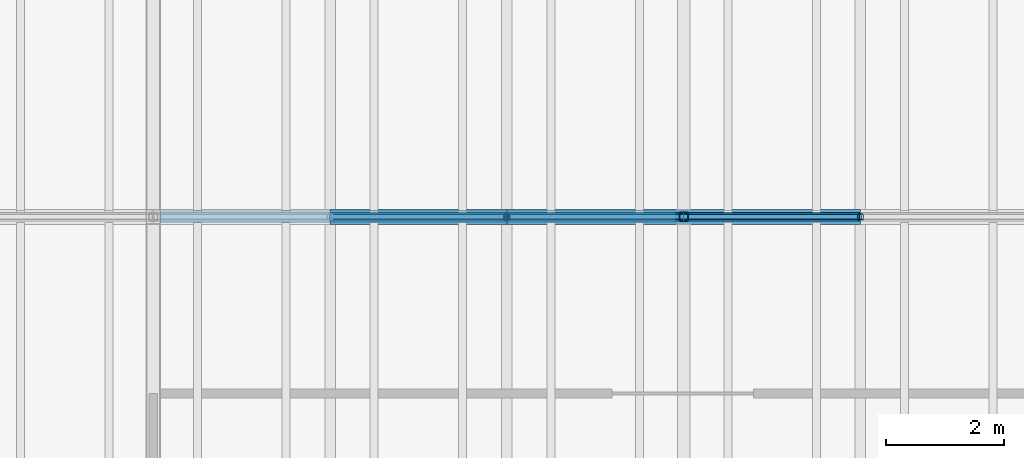
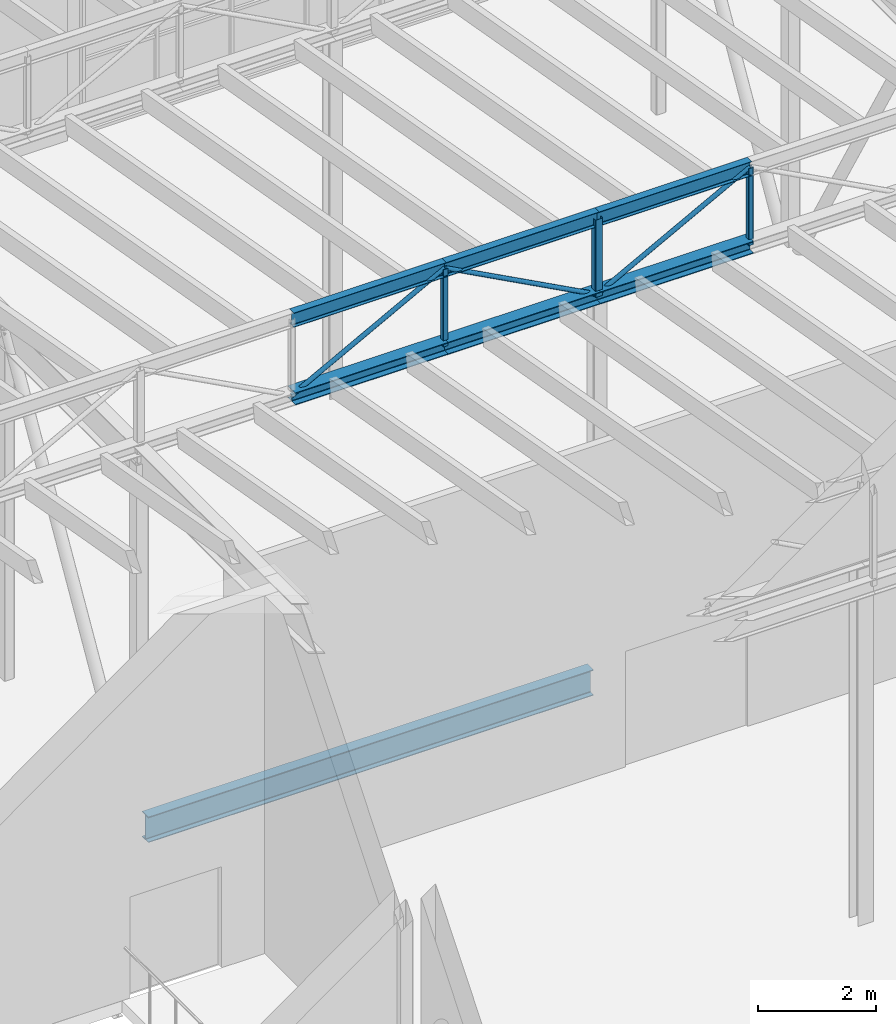
# One storey, part 29 of 90: 12 members, 1 beam.
"""IFC4 building model written with IfcOpenShell, lengths in metres."""

from ifc_helpers import new_model, si_unit, direction, frame, origin, origin_2d, place, context, subcontext, project, spatial, hollow_rectangle, hollow_circle, i_section, extrude, material, material_profile, profile_set, type_object, element, save


model = new_model("IFC4")

# Units and contexts
model_context = context("Model", 3, precision=1e-05, world=origin(), true_north=direction((0.0, 1.0)))
body_context = subcontext(model_context, "Body", "Model", "MODEL_VIEW")
ifc_project = project(units=[si_unit("LENGTHUNIT", "METRE"), si_unit("AREAUNIT", "SQUARE_METRE"), si_unit("VOLUMEUNIT", "CUBIC_METRE"), si_unit("PLANEANGLEUNIT", "RADIAN"), si_unit("MASSUNIT", "GRAM", prefix="KILO")], contexts=[model_context])

# Site, building, storey
site_placement = place(None, origin())
site = spatial("IfcSite", under=ifc_project, at=site_placement, CompositionType="ELEMENT")
building_placement = place(site_placement, origin())
building = spatial("IfcBuilding", under=site, at=building_placement, Name="Halyard Row Museum", CompositionType="ELEMENT")
storey_placement = place(building_placement, frame((0.0, 0.0, 13.39990234375)))
storey = spatial("IfcBuildingStorey", under=building, at=storey_placement, Name="L03", CompositionType="ELEMENT", Elevation=13.39990234375)

# Beam
ifc_material_1 = material(Name="Steel Grade 300", Category="steel")
ifc_material_profile_1 = material_profile(ifc_material_1, i_section(OverallWidth=0.208984375, OverallDepth=0.532958984375, WebThickness=0.01025390625, FlangeThickness=0.015625, FilletRadius=0.013916015625, at=origin_2d()), Name="530UB92.4")
ifc_profile_set_1 = profile_set([ifc_material_profile_1], Name="Steel Grade 300")
beam_type = type_object("IfcBeamType", Name="Girder beam 530UB92.4", PredefinedType="BEAM", material=ifc_profile_set_1)
beam_placement = place(storey_placement, frame((36.125, 27.0, -0.431396484375), z_axis=(1.0, 0.0, 0.0), x_axis=(0.0, 1.0, 0.0)))
element("IfcBeam", 1, at=beam_placement, inside=storey, type_object=beam_type, Name="Beam L03-019", PredefinedType="BEAM", context=body_context, shape_type="SweptSolid", body=[
    extrude(i_section(OverallWidth=0.208984375, OverallDepth=0.532958984375, WebThickness=0.01025390625, FlangeThickness=0.015625, FilletRadius=0.013916015625, at=origin_2d()), origin(), (0.0, 0.0, 1.0), 8.748046875),
])

# Members
ifc_material_2 = material(Name="Steel Grade 300", Category="steel")
ifc_material_profile_2 = material_profile(ifc_material_2, i_section(OverallWidth=0.25390625, OverallDepth=0.25390625, WebThickness=0.008544921875, FlangeThickness=0.01416015625, FilletRadius=0.013916015625, at=origin_2d()), Name="250UC72.9")
ifc_profile_set_2 = profile_set([ifc_material_profile_2], Name="Steel Grade 300")
member_type_1 = type_object("IfcMemberType", Name="Valley truss bottom chord 250UC72.9", PredefinedType="CHORD", material=ifc_profile_set_2)
for number, where, z_axis, x_axis, name in (
    (2, (39.0, 27.0, 7.527099609375), (1.0, 0.0, 0.0), (0.0, 1.0, 0.0), "V1-VT2 bottom chord 2.2"),
    (3, (42.0, 27.0, 7.527099609375), (1.0, 0.0, 0.0), (0.0, 1.0, 0.0), "V1-VT2 bottom chord 2.3"),
    (4, (45.0, 27.0, 7.527099609375), (1.0, 0.0, 0.0), (0.0, 1.0, 0.0), "V1-VT2 bottom chord 3.1"),
):
    element("IfcMember", number, at=place(storey_placement, frame(where, z_axis=z_axis, x_axis=x_axis)), inside=storey, type_object=member_type_1, Name=name, PredefinedType="CHORD", context=body_context, shape_type="SweptSolid", body=[
        extrude(i_section(OverallWidth=0.25390625, OverallDepth=0.25390625, WebThickness=0.008544921875, FlangeThickness=0.01416015625, FilletRadius=0.013916015625, at=origin_2d()), origin(), (0.0, 0.0, 1.0), 3.0),
    ])
ifc_material_3 = material(Name="Steel Grade C250L0", Category="steel")
ifc_material_profile_3 = material_profile(ifc_material_3, hollow_circle(Radius=0.04443359375, WallThickness=0.0048828125, at=origin_2d()), Name="88.9x5.0CHS")
ifc_profile_set_3 = profile_set([ifc_material_profile_3], Name="Steel Grade C250L0")
member_type_2 = type_object("IfcMemberType", Name="Valley truss diagonal 88.9x5.0CHS", PredefinedType="BRACE", material=ifc_profile_set_3)
for number, where, z_axis, x_axis, name in (
    (5, (39.0, 27.0, 7.527099609375), (0.881863759518, 0.0, 0.471504305016), (0.0, 1.0, 0.0), "V1-VT2 diagonal 2.2"),
    (6, (42.0, 27.0, 9.131103515625), (0.881863759518, 0.0, -0.471504305016), (0.0, 1.0, 0.0), "V1-VT2 diagonal 2.3"),
    (7, (45.0, 27.0, 7.527099609375), (0.881863759518, 0.0, 0.471504305016), (0.0, 1.0, 0.0), "V1-VT2 diagonal 3.1"),
):
    element("IfcMember", number, at=place(storey_placement, frame(where, z_axis=z_axis, x_axis=x_axis)), inside=storey, type_object=member_type_2, Name=name, PredefinedType="BRACE", context=body_context, shape_type="SweptSolid", body=[
        extrude(hollow_circle(Radius=0.04443359375, WallThickness=0.0048828125, at=origin_2d()), origin(), (0.0, 0.0, 1.0), 3.40185546875),
    ])
ifc_material_4 = material(Name="Steel Grade C350L0", Category="steel")
ifc_material_profile_4 = material_profile(ifc_material_4, hollow_rectangle(XDim=0.10009765625, YDim=0.10009765625, WallThickness=0.006103515625, InnerFilletRadius=0.009033203125, OuterFilletRadius=0.014892578125, at=origin_2d()), Name="100x100x6.0SHS")
ifc_profile_set_4 = profile_set([ifc_material_profile_4], Name="Steel Grade C350L0")
member_type_3 = type_object("IfcMemberType", Name="Valley truss post 100x100x6.0SHS", PredefinedType="POST", material=ifc_profile_set_4)
for number, where, z_axis, x_axis, name in (
    (8, (42.0, 27.0, 7.527099609375), (0.0, 0.0, 1.0), (1.0, 0.0, 0.0), "V1-VT2 post 2.2"),
    (9, (48.0, 27.0, 7.527099609375), (0.0, 0.0, 1.0), (1.0, 0.0, 0.0), "V1-VT2 post 3.1"),
):
    element("IfcMember", number, at=place(storey_placement, frame(where, z_axis=z_axis, x_axis=x_axis)), inside=storey, type_object=member_type_3, Name=name, PredefinedType="POST", context=body_context, shape_type="SweptSolid", body=[
        extrude(hollow_rectangle(XDim=0.10009765625, YDim=0.10009765625, WallThickness=0.006103515625, InnerFilletRadius=0.009033203125, OuterFilletRadius=0.014892578125, at=origin_2d()), origin(), (0.0, 0.0, 1.0), 1.60400390625),
    ])
ifc_material_5 = material(Name="Steel Grade C350L0", Category="steel")
ifc_material_profile_5 = material_profile(ifc_material_5, hollow_rectangle(XDim=0.14990234375, YDim=0.14990234375, WallThickness=0.006103515625, InnerFilletRadius=0.009033203125, OuterFilletRadius=0.014892578125, at=origin_2d()), Name="150x150x6.0SHS")
ifc_profile_set_5 = profile_set([ifc_material_profile_5], Name="Steel Grade C350L0")
member_type_4 = type_object("IfcMemberType", Name="Valley truss post 150x150x6.0SHS", PredefinedType="POST", material=ifc_profile_set_5)
member_placement = place(storey_placement, frame((45.0, 27.0, 7.527099609375), z_axis=(0.0, 0.0, 1.0), x_axis=(1.0, 0.0, 0.0)))
element("IfcMember", 10, at=member_placement, inside=storey, type_object=member_type_4, Name="V1-VT2 post 2.3", PredefinedType="POST", context=body_context, shape_type="SweptSolid", body=[
    extrude(hollow_rectangle(XDim=0.14990234375, YDim=0.14990234375, WallThickness=0.006103515625, InnerFilletRadius=0.009033203125, OuterFilletRadius=0.014892578125, at=origin_2d()), origin(), (0.0, 0.0, 1.0), 1.60400390625),
])
ifc_material_6 = material(Name="Steel Grade 300", Category="steel")
ifc_material_profile_6 = material_profile(ifc_material_6, i_section(OverallWidth=0.14892578125, OverallDepth=0.298095703125, WebThickness=0.005615234375, FlangeThickness=0.008056640625, FilletRadius=0.012939453125, at=origin_2d()), Name="310UB32.0")
ifc_profile_set_6 = profile_set([ifc_material_profile_6], Name="Steel Grade 300")
member_type_5 = type_object("IfcMemberType", Name="Valley truss top chord 310UB32.0", PredefinedType="CHORD", material=ifc_profile_set_6)
for number, where, z_axis, x_axis, name in (
    (11, (39.0, 27.0, 9.131103515625), (1.0, 0.0, 0.0), (0.0, 1.0, 0.0), "V1-VT2 top chord 2.2"),
    (12, (42.0, 27.0, 9.131103515625), (1.0, 0.0, 0.0), (0.0, 1.0, 0.0), "V1-VT2 top chord 2.3"),
    (13, (45.0, 27.0, 9.131103515625), (1.0, 0.0, 0.0), (0.0, 1.0, 0.0), "V1-VT2 top chord 3.1"),
):
    element("IfcMember", number, at=place(storey_placement, frame(where, z_axis=z_axis, x_axis=x_axis)), inside=storey, type_object=member_type_5, Name=name, PredefinedType="CHORD", context=body_context, shape_type="SweptSolid", body=[
        extrude(i_section(OverallWidth=0.14892578125, OverallDepth=0.298095703125, WebThickness=0.005615234375, FlangeThickness=0.008056640625, FilletRadius=0.012939453125, at=origin_2d()), origin(), (0.0, 0.0, 1.0), 3.0),
    ])

save(model, "model.ifc")
